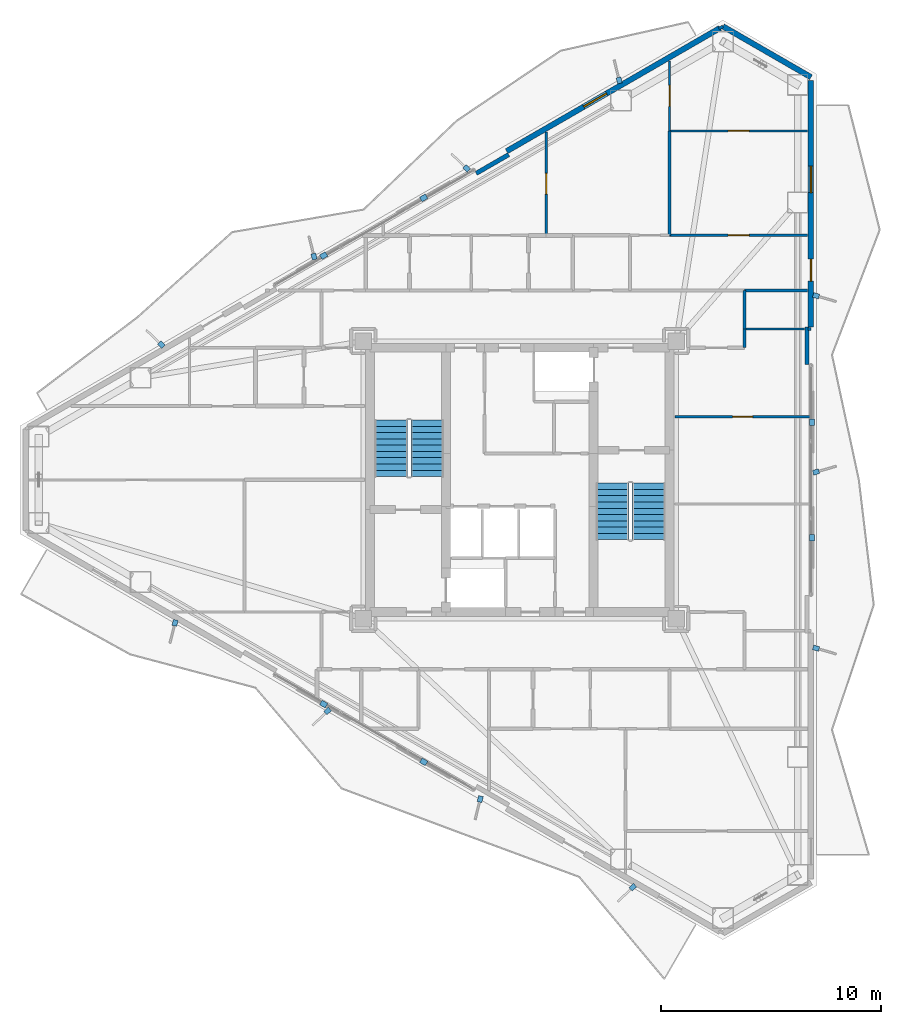
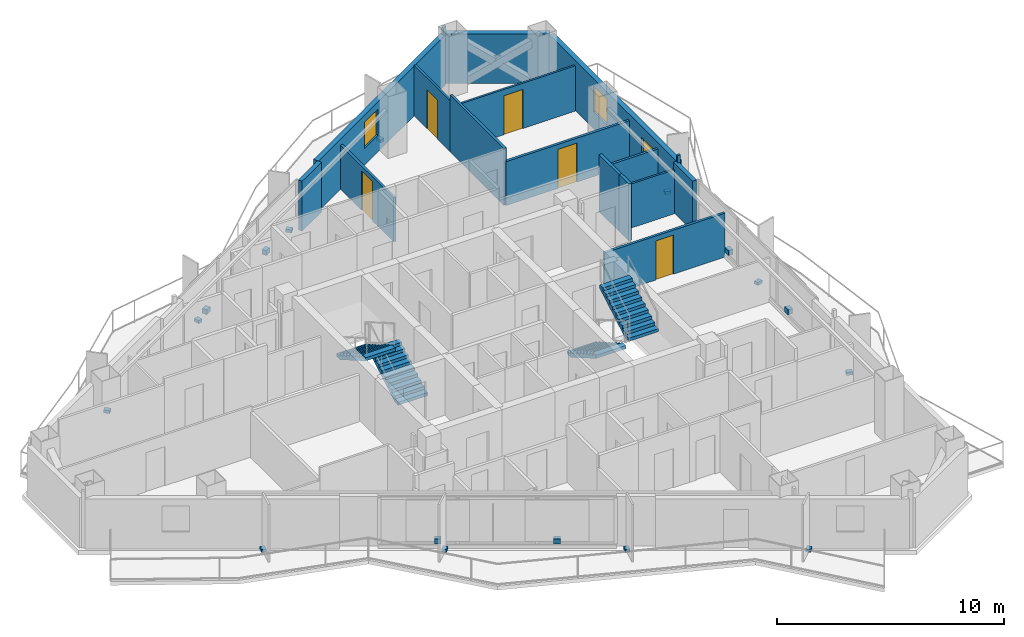
# One storey, part 16 of 18: 17 discrete accessories, 17 walls, 6 doors, 4 stair flights, 2 windows, 8 openings, 2 elements without a shape of their own.
"""IFC4 building model written with IfcOpenShell, lengths in metres."""

import ifcopenshell
import ifcopenshell.guid

model = None  # the IFC model being written
_history = None  # IfcOwnerHistory: only IFC2X3 demands one
_inside = {}  # id of a spatial element -> (the spatial element, [elements in it])
_under = {}  # id of a project, library or spatial element -> (it, [spatial elements below it])
_declared = {}  # id of a project -> (the project, [libraries it declares])
_typed = {}  # id of a type object -> (the type object, [elements of that type])
_made_of = {}  # id of a material, layer set ... -> (it, [elements and type objects made of it])


def new_model(schema):
    """Start an empty IFC model of exactly this schema.

    Asked for "IFC4X3", IfcOpenShell would pick the latest addendum, in which some entities
    have other attributes; the version numbers below select the first issue.
    IFC2X3 requires an IfcOwnerHistory on every rooted entity: one is made here for all.
    """
    global model, _history
    if schema == "IFC4X3":
        model = ifcopenshell.file(schema_version=(4, 3, 0, 0))
    else:
        model = ifcopenshell.file(schema=schema)
    _inside.clear()
    _under.clear()
    _declared.clear()
    _typed.clear()
    _made_of.clear()
    _history = None
    if model.schema == "IFC2X3":
        org = make("IfcOrganization", Name="unknown")
        user = make(
            "IfcPersonAndOrganization",
            ThePerson=make("IfcPerson", FamilyName="unknown"),
            TheOrganization=org,
        )
        app = make(
            "IfcApplication",
            ApplicationDeveloper=org,
            Version="unknown",
            ApplicationFullName="unknown",
            ApplicationIdentifier="unknown",
        )
        _history = make(
            "IfcOwnerHistory",
            OwningUser=user,
            OwningApplication=app,
            ChangeAction="ADDED",
            CreationDate=0,
        )
    return model


def make(cls, **values):
    """One entity of the class cls with the attributes given. An attribute that is None is left unset."""
    return model.create_entity(
        cls, **{name: value for name, value in values.items() if value is not None}
    )


def rooted(cls, **values):
    """An entity with a GlobalId (a new one), such as an element, a storey or a relation."""
    return make(cls, GlobalId=ifcopenshell.guid.new(), OwnerHistory=_history, **values)


def si_unit(unit_type, name, prefix=None):
    """IfcSIUnit, for example si_unit("LENGTHUNIT", "METRE", prefix="MILLI")."""
    return make("IfcSIUnit", UnitType=unit_type, Prefix=prefix, Name=name)


def assignment(units):
    """IfcUnitAssignment: the units of a project."""
    return None if units is None else make("IfcUnitAssignment", Units=units)


def point(xyz):
    """IfcCartesianPoint."""
    return None if xyz is None else make("IfcCartesianPoint", Coordinates=xyz)


def direction(xyz):
    """IfcDirection."""
    return None if xyz is None else make("IfcDirection", DirectionRatios=xyz)


def frame(location, z_axis=None, x_axis=None):
    """IfcAxis2Placement3D, a coordinate frame: its origin and axes. An axis left out is left unset."""
    return make(
        "IfcAxis2Placement3D",
        Location=point(location),
        Axis=direction(z_axis),
        RefDirection=direction(x_axis),
    )


def frame_2d(location, x_axis=None):
    """IfcAxis2Placement2D, a coordinate frame in the plane: its origin and x axis."""
    return make(
        "IfcAxis2Placement2D", Location=point(location), RefDirection=direction(x_axis)
    )


def origin():
    """The frame at (0, 0, 0) with its axes left unset."""
    return frame((0.0, 0.0, 0.0))


def origin_2d():
    """The frame at (0, 0) in the plane with its x axis left unset."""
    return frame_2d((0.0, 0.0))


def place(relative_to, where):
    """IfcLocalPlacement: puts the frame where relative to a parent placement (None: the world)."""
    return make(
        "IfcLocalPlacement", PlacementRelTo=relative_to, RelativePlacement=where
    )


def context(
    kind, dimensions, precision=None, world=None, true_north=None, identifier=None
):
    """IfcGeometricRepresentationContext, for example the 3D "Model" context."""
    return make(
        "IfcGeometricRepresentationContext",
        ContextIdentifier=identifier,
        ContextType=kind,
        CoordinateSpaceDimension=dimensions,
        Precision=precision,
        WorldCoordinateSystem=world,
        TrueNorth=true_north,
    )


def subcontext(parent, identifier, kind, view, scale=None):
    """IfcGeometricRepresentationSubContext, for example "Body" below "Model"."""
    return make(
        "IfcGeometricRepresentationSubContext",
        ContextIdentifier=identifier,
        ContextType=kind,
        ParentContext=parent,
        TargetScale=scale,
        TargetView=view,
    )


def project(units=None, contexts=None):
    """IfcProject with its units and contexts."""
    return rooted(
        "IfcProject",
        Name="project",
        RepresentationContexts=contexts,
        UnitsInContext=assignment(units),
    )


def spatial(cls, under=None, at=None, **own):
    """A site, building, storey or space (cls), placed at a placement, below another one or the project."""
    s = rooted(cls, ObjectPlacement=at, **own)
    if under is not None:
        _under.setdefault(under.id(), (under, []))[1].append(s)
    return s


def polyline(points):
    """IfcPolyline through the points."""
    return make("IfcPolyline", Points=[point(p) for p in points])


def profile(cls, at=None, kind="AREA", **sizes):
    """A parametric profile (cls). Its sizes go by their IFC names, for example OverallWidth=200.0."""
    return make(cls, ProfileType=kind, Position=at, **sizes)


def rectangle(**sizes):
    """IfcRectangleProfileDef."""
    return profile("IfcRectangleProfileDef", **sizes)


def outline(outer, holes=None, kind="AREA"):
    """IfcArbitraryClosedProfileDef: a profile drawn as a closed curve; with holes, ...WithVoids."""
    if holes is None:
        return make("IfcArbitraryClosedProfileDef", ProfileType=kind, OuterCurve=outer)
    return make(
        "IfcArbitraryProfileDefWithVoids",
        ProfileType=kind,
        OuterCurve=outer,
        InnerCurves=holes,
    )


def extrude(swept, where, along, depth):
    """IfcExtrudedAreaSolid: the profile swept, set in the frame where, extruded along a direction by depth."""
    return make(
        "IfcExtrudedAreaSolid",
        SweptArea=swept,
        Position=where,
        ExtrudedDirection=direction(along),
        Depth=depth,
    )


def shape(context_of_items, identifier, shape_type, items):
    """IfcShapeRepresentation: the items that make up one representation, for example the "Body"."""
    return make(
        "IfcShapeRepresentation",
        ContextOfItems=context_of_items,
        RepresentationIdentifier=identifier,
        RepresentationType=shape_type,
        Items=items,
    )


def material(Name=None, Category=None):
    """IfcMaterial."""
    return make("IfcMaterial", Name=Name, Category=Category)


def layer(
    of_material, thickness, ventilated=None, Name=None, Category=None, Priority=None
):
    """IfcMaterialLayer: one layer of a wall or slab, of a material (None: an air gap)."""
    return make(
        "IfcMaterialLayer",
        Material=of_material,
        LayerThickness=thickness,
        IsVentilated=ventilated,
        Name=Name,
        Category=Category,
        Priority=Priority,
    )


def layer_set(layers, Name=None):
    """IfcMaterialLayerSet."""
    return make("IfcMaterialLayerSet", MaterialLayers=layers, LayerSetName=Name)


def made_of(thing, what):
    """Note that an element or type object is made of a material, layer set ...; save() writes the relation."""
    if what is not None:
        _made_of.setdefault(what.id(), (what, []))[1].append(thing)
    return thing


def type_object(cls, material=None, **own):
    """A type object (cls), such as IfcWallType, which elements share."""
    return made_of(rooted(cls, **own), material)


def element(
    cls,
    number,
    at=None,
    inside=None,
    cuts=None,
    type_object=None,
    material=None,
    context=None,
    identifier="Body",
    shape_type=None,
    held_by="IfcProductDefinitionShape",
    body=None,
    shapes=None,
    **own,
):
    """One element of the class cls, such as IfcWall. Its Tag is "e" and its number.

    at: its placement. inside: the storey or other place that contains it. cuts: it is an
    opening in that element (IfcRelVoidsElement). A single representation is given by context,
    identifier, shape_type and body (its items); several are given by shapes. held_by: the class
    of the entity that holds the representations. save() writes the other relations.
    """
    e = rooted(cls, Tag="e%d" % number, ObjectPlacement=at, **own)
    if body is not None:
        shapes = [shape(context, identifier, shape_type, body)]
    if shapes is not None:
        e.Representation = make(held_by, Representations=shapes)
    if inside is not None:
        _inside.setdefault(inside.id(), (inside, []))[1].append(e)
    if cuts is not None:
        rooted(
            "IfcRelVoidsElement", RelatingBuildingElement=cuts, RelatedOpeningElement=e
        )
    if type_object is not None:
        _typed.setdefault(type_object.id(), (type_object, []))[1].append(e)
    return made_of(e, material)


def fill(opening, filler):
    """IfcRelFillsElement: the door or window that sits in an opening."""
    return rooted(
        "IfcRelFillsElement",
        RelatingOpeningElement=opening,
        RelatedBuildingElement=filler,
    )


def aggregate(whole, parts):
    """IfcRelAggregates: a whole, such as a stair, and the parts it consists of."""
    return rooted("IfcRelAggregates", RelatingObject=whole, RelatedObjects=parts)


def save(model, path):
    """Write the relations noted so far, then the file.

    IfcRelAggregates (storeys below a building ...), IfcRelContainedInSpatialStructure (elements
    in a storey), IfcRelDefinesByType, IfcRelAssociatesMaterial and IfcRelDeclares: one each for
    every whole, place, type object, material and project.
    """
    for whole, parts in _under.values():
        aggregate(whole, parts)
    for where, things in _inside.values():
        rooted(
            "IfcRelContainedInSpatialStructure",
            RelatedElements=things,
            RelatingStructure=where,
        )
    for kind, things in _typed.values():
        rooted("IfcRelDefinesByType", RelatedObjects=things, RelatingType=kind)
    for what, things in _made_of.values():
        rooted("IfcRelAssociatesMaterial", RelatedObjects=things, RelatingMaterial=what)
    for by, libraries in _declared.values():
        rooted("IfcRelDeclares", RelatingContext=by, RelatedDefinitions=libraries)
    model.write(path)


model = new_model("IFC4")

# Units and contexts
model_context = context("Model", 3, precision=1e-05, world=origin(), true_north=direction((0.0, 1.0)))
body_context = subcontext(model_context, "Body", "Model", "MODEL_VIEW")
ifc_project = project(units=[si_unit("LENGTHUNIT", "METRE"), si_unit("AREAUNIT", "SQUARE_METRE"), si_unit("VOLUMEUNIT", "CUBIC_METRE"), si_unit("PLANEANGLEUNIT", "RADIAN"), si_unit("MASSUNIT", "GRAM", prefix="KILO")], contexts=[model_context])

# Site, building, storey
site_placement = place(None, origin())
site = spatial("IfcSite", under=ifc_project, at=site_placement, CompositionType="ELEMENT")
building_placement = place(site_placement, origin())
building = spatial("IfcBuilding", under=site, at=building_placement, Name="Mersakhor Tower and Convention Hall", CompositionType="ELEMENT")
storey_placement = place(building_placement, frame((0.0, 0.0, 134.39990234375)))
storey = spatial("IfcBuildingStorey", under=building, at=storey_placement, Name="L37", CompositionType="ELEMENT", Elevation=134.39990234375)

# Wall
ifc_material_1 = material(Name="Precast concrete C40/50", Category="concrete")
ifc_layer_1 = layer(ifc_material_1, 0.25)
ifc_layer_set_1 = layer_set([ifc_layer_1], Name="Precast concrete C40/50")
wall_type_1 = type_object("IfcWallType", Name="WL-EXT-250", PredefinedType="SOLIDWALL", material=ifc_layer_set_1)
wall_1_placement = place(storey_placement, frame((38.220458984375, 47.337646484375, 0.0), z_axis=(0.0, 0.0, 1.0), x_axis=(0.866035021055, -0.499983342029, 0.0)))
element("IfcWall", 1, at=wall_1_placement, inside=storey, type_object=wall_type_1, Name="L37 Chamfer Braced Spandrel Wall C1", PredefinedType="SOLIDWALL", context=body_context, shape_type="SweptSolid", body=[
    extrude(rectangle(XDim=4.617431640625, YDim=0.25, at=frame_2d((2.30859375, 0.0))), origin(), (0.0, 0.0, 1.0), 2.68017578125),
])

# Wall, opening, window
wall_2_placement = place(storey_placement, frame((28.4033203125, 41.669677734375, 0.0), z_axis=(0.0, 0.0, 1.0), x_axis=(0.86602239209, 0.500005216371, 0.0)))
wall_2 = element("IfcWall", 2, at=wall_2_placement, inside=storey, type_object=wall_type_1, Name="L37 Exterior Facade Wall F1-B3", PredefinedType="SOLIDWALL", context=body_context, shape_type="SweptSolid", body=[
    extrude(rectangle(XDim=11.18603515625, YDim=0.25, at=frame_2d((5.593017578125, 0.0))), origin(), (0.0, 0.0, 1.0), 2.68017578125),
])
opening_1_placement = place(wall_2_placement, frame((4.0390625, 0.0, 0.89990234375)))
opening_1 = element("IfcOpeningElement", 3, at=opening_1_placement, cuts=wall_2, Name="Opening W-01", PredefinedType="OPENING", context=body_context, shape_type="SweptSolid", body=[
    extrude(rectangle(XDim=1.199951171875, YDim=1.39990234375, at=frame_2d((0.60009765625, 0.699951171875))), frame((0.0, 0.135009765625, 0.0), z_axis=(0.0, -1.0, 0.0), x_axis=(1.0, 0.0, 0.0)), (0.0, 0.0, 1.0), 0.27001953125),
])
ifc_material_2 = material(Name="Dark solar low-E glazed aluminium window", Category="aluminium")
window_type = type_object("IfcWindowType", Name="WN-RES-120x150", PartitioningType="SINGLE_PANEL", PredefinedType="WINDOW", material=ifc_material_2)
window_1_placement = place(opening_1_placement, origin())
window_1 = element("IfcWindow", 4, at=window_1_placement, inside=storey, type_object=window_type, Name="L37 Bedroom Facade Window F1-B3-1", OverallHeight=1.39990234375, OverallWidth=1.199951171875, PartitioningType="SINGLE_PANEL", PredefinedType="WINDOW", context=body_context, shape_type="SweptSolid", body=[
    extrude(rectangle(XDim=1.199951171875, YDim=1.39990234375, at=frame_2d((0.60009765625, 0.699951171875))), frame((0.0, 0.030029296875, 0.0), z_axis=(0.0, -1.0, 0.0), x_axis=(1.0, 0.0, 0.0)), (0.0, 0.0, 1.0), 0.06005859375),
])
fill(opening_1, window_1)

# Wall, openings, door, window
wall_3_placement = place(storey_placement, frame((42.21923828125, 44.87890625, 0.0), z_axis=(0.0, 0.0, 1.0), x_axis=(0.0, -1.0, 0.0)))
wall_3 = element("IfcWall", 5, at=wall_3_placement, inside=storey, type_object=wall_type_1, Name="L37 Exterior Facade Wall F2-B1", PredefinedType="SOLIDWALL", context=body_context, shape_type="SweptSolid", body=[
    extrude(rectangle(XDim=11.185791015625, YDim=0.25, at=frame_2d((5.5927734375, 0.0))), origin(), (0.0, 0.0, 1.0), 2.68017578125),
])
opening_2_placement = place(wall_3_placement, frame((8.10888671875, 0.0, 0.0)))
opening_2 = element("IfcOpeningElement", 6, at=opening_2_placement, cuts=wall_3, Name="Opening BD-01", PredefinedType="OPENING", context=body_context, shape_type="SweptSolid", body=[
    extrude(rectangle(XDim=1.0, YDim=2.10009765625, at=frame_2d((0.5, 1.050048828125))), frame((0.0, 0.135009765625, 0.0), z_axis=(0.0, -1.0, 0.0), x_axis=(1.0, 0.0, 0.0)), (0.0, 0.0, 1.0), 0.27001953125),
])
opening_3_placement = place(wall_3_placement, frame((3.885986328125, 0.0, 0.89990234375)))
opening_3 = element("IfcOpeningElement", 7, at=opening_3_placement, cuts=wall_3, Name="Opening W-01", PredefinedType="OPENING", context=body_context, shape_type="SweptSolid", body=[
    extrude(rectangle(XDim=1.199951171875, YDim=1.39990234375, at=frame_2d((0.60009765625, 0.699951171875))), frame((0.0, 0.135009765625, 0.0), z_axis=(0.0, -1.0, 0.0), x_axis=(1.0, 0.0, 0.0)), (0.0, 0.0, 1.0), 0.27001953125),
])
ifc_material_3 = material(Name="Thermally broken dark aluminium and safety glass", Category="aluminium")
door_type_1 = type_object("IfcDoorType", Name="DR-BAL-100x210", OperationType="NOTDEFINED", PredefinedType="DOOR", material=ifc_material_3)
door_1_placement = place(opening_2_placement, origin())
door_1 = element("IfcDoor", 8, at=door_1_placement, inside=storey, type_object=door_type_1, Name="L37 Balcony Terrace Door F2-B1", OperationType="SINGLE_SWING_LEFT", OverallHeight=2.10009765625, OverallWidth=1.0, PredefinedType="DOOR", context=body_context, shape_type="SweptSolid", body=[
    extrude(rectangle(XDim=1.0, YDim=2.10009765625, at=frame_2d((0.5, 1.050048828125))), frame((0.0, 0.02490234375, 0.0), z_axis=(0.0, -1.0, 0.0), x_axis=(1.0, 0.0, 0.0)), (0.0, 0.0, 1.0), 0.050048828125),
])
fill(opening_2, door_1)
window_2_placement = place(opening_3_placement, origin())
window_2 = element("IfcWindow", 9, at=window_2_placement, inside=storey, type_object=window_type, Name="L37 Bedroom Facade Window F2-B1-1", OverallHeight=1.39990234375, OverallWidth=1.199951171875, PartitioningType="SINGLE_PANEL", PredefinedType="WINDOW", context=body_context, shape_type="SweptSolid", body=[
    extrude(rectangle(XDim=1.199951171875, YDim=1.39990234375, at=frame_2d((0.60009765625, 0.699951171875))), frame((0.0, 0.030029296875, 0.0), z_axis=(0.0, -1.0, 0.0), x_axis=(1.0, 0.0, 0.0)), (0.0, 0.0, 1.0), 0.06005859375),
])
fill(opening_3, window_2)

# Walls
ifc_material_4 = material(Name="Precast concrete C40/50", Category="concrete")
ifc_layer_2 = layer(ifc_material_4, 0.199951171875)
ifc_layer_set_2 = layer_set([ifc_layer_2], Name="Precast concrete C40/50")
wall_type_2 = type_object("IfcWallType", Name="WL-PAR-200", PredefinedType="PARAPET", material=ifc_layer_set_2)
wall_4_placement = place(storey_placement, frame((27.02099609375, 40.663818359375, 0.0), z_axis=(0.0, 0.0, 1.0), x_axis=(0.86605165483, 0.499954529098, 0.0)))
element("IfcWall", 10, at=wall_4_placement, inside=storey, type_object=wall_type_2, Name="L37 Column Pier Cladding Wall F1-C2", PredefinedType="PARAPET", context=body_context, shape_type="SweptSolid", body=[
    extrude(rectangle(XDim=1.699951171875, YDim=0.199951171875, at=frame_2d((0.85009765625, 0.0))), origin(), (0.0, 0.0, 1.0), 2.68017578125),
])
wall_5_placement = place(storey_placement, frame((42.039306640625, 33.693115234375, 0.0), z_axis=(0.0, 0.0, 1.0), x_axis=(0.0, -1.0, 0.0)))
element("IfcWall", 11, at=wall_5_placement, inside=storey, type_object=wall_type_2, Name="L37 Column Pier Cladding Wall F2-C1", PredefinedType="PARAPET", context=body_context, shape_type="SweptSolid", body=[
    extrude(rectangle(XDim=1.7001953125, YDim=0.199951171875, at=frame_2d((0.85009765625, 0.0))), origin(), (0.0, 0.0, 1.0), 2.68017578125),
])
ifc_material_5 = material(Name="Lightweight gypsum partition", Category="other")
ifc_layer_3 = layer(ifc_material_5, 0.10009765625)
ifc_layer_set_3 = layer_set([ifc_layer_3], Name="Lightweight gypsum partition")
wall_type_3 = type_object("IfcWallType", Name="WL-PRT-100", PredefinedType="PARTITIONING", material=ifc_layer_set_3)
wall_6_placement = place(storey_placement, frame((39.199951171875, 33.60009765625, 0.0), z_axis=(0.0, 0.0, 1.0), x_axis=(1.0, 0.0, 0.0)))
element("IfcWall", 12, at=wall_6_placement, inside=storey, type_object=wall_type_3, Name="L37 Interior Partition Wall P-100", PredefinedType="PARTITIONING", context=body_context, shape_type="SweptSolid", body=[
    extrude(rectangle(XDim=2.71533203125, YDim=0.10009765625, at=frame_2d((1.357666015625, 0.0))), origin(), (0.0, 0.0, 1.0), 2.364990234375),
])

# Wall, opening, door
wall_7_placement = place(storey_placement, frame((35.800048828125, 45.76806640625, 0.0), z_axis=(0.0, 0.0, 1.0), x_axis=(0.0, -1.0, 0.0)))
wall_7 = element("IfcWall", 13, at=wall_7_placement, inside=storey, type_object=wall_type_3, Name="L37 Interior Partition Wall P-112", PredefinedType="PARTITIONING", context=body_context, shape_type="SweptSolid", body=[
    extrude(rectangle(XDim=3.177978515625, YDim=0.10009765625, at=frame_2d((1.5888671875, 0.0))), origin(), (0.0, 0.0, 1.0), 2.724609375),
])
opening_4_placement = place(wall_7_placement, frame((1.114013671875, 0.0, 0.0)))
opening_4 = element("IfcOpeningElement", 14, at=opening_4_placement, cuts=wall_7, Name="Opening RD-01", PredefinedType="OPENING", context=body_context, shape_type="SweptSolid", body=[
    extrude(rectangle(XDim=0.949951171875, YDim=2.10009765625, at=frame_2d((0.47509765625, 1.050048828125))), frame((0.0, 0.06005859375, 0.0), z_axis=(0.0, -1.0, 0.0), x_axis=(1.0, 0.0, 0.0)), (0.0, 0.0, 1.0), 0.1201171875),
])
ifc_material_6 = material(Name="Solid-core hardwood leaf in painted steel frame", Category="steel")
door_type_2 = type_object("IfcDoorType", Name="DR-INT-RM-095x210", OperationType="NOTDEFINED", PredefinedType="DOOR", material=ifc_material_6)
door_2_placement = place(opening_4_placement, origin())
door_2 = element("IfcDoor", 15, at=door_2_placement, inside=storey, type_object=door_type_2, Name="L37 L37 Flat N1 Master Bedroom to L37 Flat N1 Study Room Door", OperationType="SINGLE_SWING_RIGHT", OverallHeight=2.10009765625, OverallWidth=0.949951171875, PredefinedType="DOOR", context=body_context, shape_type="SweptSolid", body=[
    extrude(rectangle(XDim=0.949951171875, YDim=2.10009765625, at=frame_2d((0.47509765625, 1.050048828125))), frame((0.0, 0.02490234375, 0.0), z_axis=(0.0, -1.0, 0.0), x_axis=(1.0, 0.0, 0.0)), (0.0, 0.0, 1.0), 0.050048828125),
])
fill(opening_4, door_2)

wall_8_placement = place(storey_placement, frame((35.800048828125, 42.590087890625, 0.0), z_axis=(0.0, 0.0, 1.0), x_axis=(1.0, 0.0, 0.0)))
wall_8 = element("IfcWall", 16, at=wall_8_placement, inside=storey, type_object=wall_type_3, Name="L37 Interior Partition Wall P-114", PredefinedType="PARTITIONING", context=body_context, shape_type="SweptSolid", body=[
    extrude(rectangle(XDim=6.270263671875, YDim=0.10009765625, at=frame_2d((3.13525390625, 0.0))), origin(), (0.0, 0.0, 1.0), 2.432861328125),
])
opening_5_placement = place(wall_8_placement, frame((2.66015625, 0.0, 0.0)))
opening_5 = element("IfcOpeningElement", 17, at=opening_5_placement, cuts=wall_8, Name="Opening RD-01", PredefinedType="OPENING", context=body_context, shape_type="SweptSolid", body=[
    extrude(rectangle(XDim=0.949951171875, YDim=2.10009765625, at=frame_2d((0.47509765625, 1.050048828125))), frame((0.0, 0.06005859375, 0.0), z_axis=(0.0, -1.0, 0.0), x_axis=(1.0, 0.0, 0.0)), (0.0, 0.0, 1.0), 0.1201171875),
])
door_3_placement = place(opening_5_placement, origin())
door_3 = element("IfcDoor", 18, at=door_3_placement, inside=storey, type_object=door_type_2, Name="L37 L37 Flat N1 Bedroom 2 to L37 Flat N1 Study Room Door", OperationType="SINGLE_SWING_LEFT", OverallHeight=2.10009765625, OverallWidth=0.949951171875, PredefinedType="DOOR", context=body_context, shape_type="SweptSolid", body=[
    extrude(rectangle(XDim=0.949951171875, YDim=2.10009765625, at=frame_2d((0.47509765625, 1.050048828125))), frame((0.0, 0.02490234375, 0.0), z_axis=(0.0, -1.0, 0.0), x_axis=(1.0, 0.0, 0.0)), (0.0, 0.0, 1.0), 0.050048828125),
])
fill(opening_5, door_3)

ifc_material_7 = material(Name="Gypsum board acoustic partition", Category="other")
ifc_layer_4 = layer(ifc_material_7, 0.125)
ifc_layer_set_4 = layer_set([ifc_layer_4], Name="Gypsum board acoustic partition")
wall_type_4 = type_object("IfcWallType", Name="WL-PRT-125", PredefinedType="PARTITIONING", material=ifc_layer_set_4)
wall_9_placement = place(storey_placement, frame((36.050048828125, 29.6201171875, 0.0), z_axis=(0.0, 0.0, 1.0), x_axis=(1.0, 0.0, 0.0)))
wall_9 = element("IfcWall", 19, at=wall_9_placement, inside=storey, type_object=wall_type_4, Name="L37 Interior Partition Wall P-097", PredefinedType="PARTITIONING", context=body_context, shape_type="SweptSolid", body=[
    extrude(rectangle(XDim=6.131103515625, YDim=0.125, at=frame_2d((3.0654296875, 0.0))), origin(), (0.0, 0.0, 1.0), 2.364990234375),
])
opening_6_placement = place(wall_9_placement, frame((2.615478515625, 0.0, 0.0)))
opening_6 = element("IfcOpeningElement", 20, at=opening_6_placement, cuts=wall_9, Name="Opening WD-01", PredefinedType="OPENING", context=body_context, shape_type="SweptSolid", body=[
    extrude(rectangle(XDim=0.89990234375, YDim=2.10009765625, at=frame_2d((0.449951171875, 1.050048828125))), frame((0.0, 0.072509765625, 0.0), z_axis=(0.0, -1.0, 0.0), x_axis=(1.0, 0.0, 0.0)), (0.0, 0.0, 1.0), 0.14501953125),
])
ifc_material_8 = material(Name="Solid-core hardwood leaf in painted steel frame", Category="steel")
door_type_3 = type_object("IfcDoorType", Name="DR-INT-WET-090x210", OperationType="NOTDEFINED", PredefinedType="DOOR", material=ifc_material_8)
door_4_placement = place(opening_6_placement, origin())
door_4 = element("IfcDoor", 21, at=door_4_placement, inside=storey, type_object=door_type_3, Name="L37 L37 East Wing Sky Study Room to L37 East Wing Sky Study Room Annex Door", OperationType="SINGLE_SWING_LEFT", OverallHeight=2.10009765625, OverallWidth=0.89990234375, PredefinedType="DOOR", context=body_context, shape_type="SweptSolid", body=[
    extrude(rectangle(XDim=0.89990234375, YDim=2.10009765625, at=frame_2d((0.449951171875, 1.050048828125))), frame((0.0, 0.02490234375, 0.0), z_axis=(0.0, -1.0, 0.0), x_axis=(1.0, 0.0, 0.0)), (0.0, 0.0, 1.0), 0.050048828125),
])
fill(opening_6, door_4)

# Walls
wall_10_placement = place(storey_placement, frame((42.07421875, 33.60009765625, 0.0), z_axis=(0.0, 0.0, 1.0), x_axis=(1.0, 0.0, 0.0)))
element("IfcWall", 22, at=wall_10_placement, inside=storey, type_object=wall_type_4, Name="L37 Interior Partition Wall P-101", PredefinedType="PARTITIONING", context=body_context, shape_type="SweptSolid", body=[
    extrude(rectangle(XDim=0.144775390625, YDim=0.125, at=frame_2d((0.072265625, 0.0))), origin(), (0.0, 0.0, 1.0), 3.06005859375),
])
wall_11_placement = place(storey_placement, frame((42.0703125, 35.35009765625, 0.0), z_axis=(0.0, 0.0, 1.0), x_axis=(-1.0, 0.0, 0.0)))
element("IfcWall", 23, at=wall_11_placement, inside=storey, type_object=wall_type_4, Name="L37 Interior Partition Wall P-107", PredefinedType="PARTITIONING", context=body_context, shape_type="SweptSolid", body=[
    extrude(rectangle(XDim=2.870361328125, YDim=0.125, at=frame_2d((1.43505859375, 0.0))), origin(), (0.0, 0.0, 1.0), 2.364990234375),
])

# Wall, opening, door
wall_12_placement = place(storey_placement, frame((35.800048828125, 37.85009765625, 0.0), z_axis=(0.0, 0.0, 1.0), x_axis=(1.0, 0.0, 0.0)))
wall_12 = element("IfcWall", 24, at=wall_12_placement, inside=storey, type_object=wall_type_4, Name="L37 Interior Partition Wall P-109", PredefinedType="PARTITIONING", context=body_context, shape_type="SweptSolid", body=[
    extrude(rectangle(XDim=6.270263671875, YDim=0.125, at=frame_2d((3.13525390625, 0.0))), origin(), (0.0, 0.0, 1.0), 2.364990234375),
])
opening_7_placement = place(wall_12_placement, frame((2.66015625, 0.0, 0.0)))
opening_7 = element("IfcOpeningElement", 25, at=opening_7_placement, cuts=wall_12, Name="Opening RD-01", PredefinedType="OPENING", context=body_context, shape_type="SweptSolid", body=[
    extrude(rectangle(XDim=0.949951171875, YDim=2.10009765625, at=frame_2d((0.47509765625, 1.050048828125))), frame((0.0, 0.072509765625, 0.0), z_axis=(0.0, -1.0, 0.0), x_axis=(1.0, 0.0, 0.0)), (0.0, 0.0, 1.0), 0.14501953125),
])
door_5_placement = place(opening_7_placement, origin())
door_5 = element("IfcDoor", 26, at=door_5_placement, inside=storey, type_object=door_type_2, Name="L37 L37 Flat N1 Study Room to L37 Flat N1 Bedroom 2 Door", OperationType="SINGLE_SWING_RIGHT", OverallHeight=2.10009765625, OverallWidth=0.949951171875, PredefinedType="DOOR", context=body_context, shape_type="SweptSolid", body=[
    extrude(rectangle(XDim=0.949951171875, YDim=2.10009765625, at=frame_2d((0.47509765625, 1.050048828125))), frame((0.0, 0.02490234375, 0.0), z_axis=(0.0, -1.0, 0.0), x_axis=(1.0, 0.0, 0.0)), (0.0, 0.0, 1.0), 0.050048828125),
])
fill(opening_7, door_5)

wall_13_placement = place(storey_placement, frame((30.199951171875, 42.534912109375, 0.0), z_axis=(0.0, 0.0, 1.0), x_axis=(0.0, -1.0, 0.0)))
wall_13 = element("IfcWall", 27, at=wall_13_placement, inside=storey, type_object=wall_type_4, Name="L37 Interior Partition Wall P-111", PredefinedType="PARTITIONING", context=body_context, shape_type="SweptSolid", body=[
    extrude(rectangle(XDim=4.684814453125, YDim=0.125, at=frame_2d((2.34228515625, 0.0))), origin(), (0.0, 0.0, 1.0), 2.364990234375),
])
opening_8_placement = place(wall_13_placement, frame((1.867431640625, 0.0, 0.0)))
opening_8 = element("IfcOpeningElement", 28, at=opening_8_placement, cuts=wall_13, Name="Opening RD-01", PredefinedType="OPENING", context=body_context, shape_type="SweptSolid", body=[
    extrude(rectangle(XDim=0.949951171875, YDim=2.10009765625, at=frame_2d((0.47509765625, 1.050048828125))), frame((0.0, 0.072509765625, 0.0), z_axis=(0.0, -1.0, 0.0), x_axis=(1.0, 0.0, 0.0)), (0.0, 0.0, 1.0), 0.14501953125),
])
door_6_placement = place(opening_8_placement, origin())
door_6 = element("IfcDoor", 29, at=door_6_placement, inside=storey, type_object=door_type_2, Name="L37 L37 Flat N1 Living and Dining Room to L37 Flat N1 Master Bedroom Door", OperationType="SINGLE_SWING_LEFT", OverallHeight=2.10009765625, OverallWidth=0.949951171875, PredefinedType="DOOR", context=body_context, shape_type="SweptSolid", body=[
    extrude(rectangle(XDim=0.949951171875, YDim=2.10009765625, at=frame_2d((0.47509765625, 1.050048828125))), frame((0.0, 0.02490234375, 0.0), z_axis=(0.0, -1.0, 0.0), x_axis=(1.0, 0.0, 0.0)), (0.0, 0.0, 1.0), 0.050048828125),
])
fill(opening_8, door_6)

# Walls
wall_14_placement = place(storey_placement, frame((35.800048828125, 42.590087890625, 0.0), z_axis=(0.0, 0.0, 1.0), x_axis=(0.0, -1.0, 0.0)))
element("IfcWall", 30, at=wall_14_placement, inside=storey, type_object=wall_type_4, Name="L37 Interior Partition Wall P-113", PredefinedType="PARTITIONING", context=body_context, shape_type="SweptSolid", body=[
    extrude(rectangle(XDim=4.739990234375, YDim=0.125, at=frame_2d((2.3701171875, 0.0))), origin(), (0.0, 0.0, 1.0), 3.06005859375),
])
wall_15_placement = place(storey_placement, frame((38.0341796875, 47.22998046875, 0.0), z_axis=(0.0, 0.0, 1.0), x_axis=(0.865581379588, 0.500768285049, 0.0)))
element("IfcWall", 31, at=wall_15_placement, inside=storey, type_object=wall_type_4, Name="L37 Interior Partition Wall P-115", PredefinedType="PARTITIONING", context=body_context, shape_type="SweptSolid", body=[
    extrude(rectangle(XDim=0.215576171875, YDim=0.125, at=frame_2d((0.10791015625, 0.0))), origin(), (0.0, 0.0, 1.0), 3.06005859375),
])
ifc_material_9 = material(Name="Fire-rated gypsum board stud partition", Category="other")
ifc_layer_5 = layer(ifc_material_9, 0.14990234375)
ifc_layer_set_5 = layer_set([ifc_layer_5], Name="Fire-rated gypsum board stud partition")
wall_type_5 = type_object("IfcWallType", Name="WL-PRT-150", PredefinedType="PARTITIONING", material=ifc_layer_set_5)
wall_16_placement = place(storey_placement, frame((39.199951171875, 35.35009765625, 0.0), z_axis=(0.0, 0.0, 1.0), x_axis=(0.0, -1.0, 0.0)))
element("IfcWall", 32, at=wall_16_placement, inside=storey, type_object=wall_type_5, Name="L37 Interior Partition Wall P-029", PredefinedType="PARTITIONING", context=body_context, shape_type="SweptSolid", body=[
    extrude(rectangle(XDim=1.75, YDim=0.14990234375, at=frame_2d((0.875, 0.0))), origin(), (0.0, 0.0, 1.0), 3.06005859375),
])
wall_17_placement = place(storey_placement, frame((39.199951171875, 33.60009765625, 0.0), z_axis=(0.0, 0.0, 1.0), x_axis=(0.0, -1.0, 0.0)))
element("IfcWall", 33, at=wall_17_placement, inside=storey, type_object=wall_type_5, Name="L37 Interior Partition Wall P-030", PredefinedType="PARTITIONING", context=body_context, shape_type="SweptSolid", body=[
    extrude(rectangle(XDim=0.85009765625, YDim=0.14990234375, at=frame_2d((0.425048828125, 0.0))), origin(), (0.0, 0.0, 1.0), 3.06005859375),
])

# Stair, stair flights
ifc_material_10 = material(Name="Concrete C45/55", Category="concrete")
stair_type = type_object("IfcStairType", Name="ST-TWR-20R", PredefinedType="HALF_TURN_STAIR", material=ifc_material_10)
stair_1_placement = place(storey_placement, origin())
stair_1 = element("IfcStair", 34, at=stair_1_placement, inside=storey, type_object=stair_type, Name="L37 Tower Protected Exit Stair ST-1", PredefinedType="HALF_TURN_STAIR")
ifc_material_11 = material(Name="Concrete C45/55", Category="concrete")
stair_flight_type = type_object("IfcStairFlightType", Name="SFL-TWR-20R", PredefinedType="STRAIGHT", material=ifc_material_11)
stair_flight_1_placement = place(storey_placement, frame((24.800048828125, 26.89990234375, 0.0), z_axis=(0.0, 0.0, 1.0), x_axis=(0.0, 1.0, 0.0)))
stair_flight_1 = element("IfcStairFlight", 35, at=stair_flight_1_placement, type_object=stair_flight_type, Name="ST-1 flight 1", NumberOfRisers=10, NumberOfTreads=9, PredefinedType="STRAIGHT", RiserHeight=0.165, TreadLength=0.285, context=body_context, shape_type="SweptSolid", body=[
    extrude(outline(polyline([(0.0, 0.0), (0.0, 0.1650390625), (0.284912109375, 0.1650390625), (0.284912109375, 0.330078125), (0.570068359375, 0.330078125), (0.570068359375, 0.4951171875), (0.85498046875, 0.4951171875), (0.85498046875, 0.659912109375), (1.139892578125, 0.659912109375), (1.139892578125, 0.824951171875), (1.425048828125, 0.824951171875), (1.425048828125, 0.989990234375), (1.7099609375, 0.989990234375), (1.7099609375, 1.155029296875), (1.9951171875, 1.155029296875), (1.9951171875, 1.320068359375), (2.280029296875, 1.320068359375), (2.280029296875, 1.485107421875), (2.56494140625, 1.485107421875), (2.56494140625, 1.64990234375), (2.56494140625, 1.311767578125), (0.299072265625, 0.0), (0.0, 0.0)])), frame((0.0, 0.75, 0.0), z_axis=(0.0, -1.0, 0.0), x_axis=(1.0, 0.0, 0.0)), (0.0, 0.0, 1.0), 1.5),
])
stair_flight_2_placement = place(storey_placement, frame((23.14990234375, 29.465087890625, 1.650146484375), z_axis=(0.0, 0.0, 1.0), x_axis=(0.0, -1.0, 0.0)))
stair_flight_2 = element("IfcStairFlight", 36, at=stair_flight_2_placement, type_object=stair_flight_type, Name="ST-1 flight 2", NumberOfRisers=10, NumberOfTreads=9, PredefinedType="STRAIGHT", RiserHeight=0.165, TreadLength=0.285, context=body_context, shape_type="SweptSolid", body=[
    extrude(outline(polyline([(0.0, 0.0), (0.0, 0.1650390625), (0.284912109375, 0.1650390625), (0.284912109375, 0.330078125), (0.570068359375, 0.330078125), (0.570068359375, 0.4951171875), (0.85498046875, 0.4951171875), (0.85498046875, 0.659912109375), (1.139892578125, 0.659912109375), (1.139892578125, 0.824951171875), (1.425048828125, 0.824951171875), (1.425048828125, 0.989990234375), (1.7099609375, 0.989990234375), (1.7099609375, 1.155029296875), (1.9951171875, 1.155029296875), (1.9951171875, 1.320068359375), (2.280029296875, 1.320068359375), (2.280029296875, 1.485107421875), (2.56494140625, 1.485107421875), (2.56494140625, 1.64990234375), (2.56494140625, 1.311767578125), (0.299072265625, 0.0), (0.0, 0.0)])), frame((0.0, 0.75, 0.0), z_axis=(0.0, -1.0, 0.0), x_axis=(1.0, 0.0, 0.0)), (0.0, 0.0, 1.0), 1.5),
])
aggregate(stair_1, [stair_flight_1, stair_flight_2])

stair_2_placement = place(storey_placement, origin())
stair_2 = element("IfcStair", 37, at=stair_2_placement, inside=storey, type_object=stair_type, Name="L37 Tower Protected Exit Stair ST-2", PredefinedType="HALF_TURN_STAIR")
stair_flight_3_placement = place(storey_placement, frame((33.199951171875, 26.60009765625, 0.0), z_axis=(0.0, 0.0, 1.0), x_axis=(0.0, -1.0, 0.0)))
stair_flight_3 = element("IfcStairFlight", 38, at=stair_flight_3_placement, type_object=stair_flight_type, Name="ST-2 flight 1", NumberOfRisers=10, NumberOfTreads=9, PredefinedType="STRAIGHT", RiserHeight=0.165, TreadLength=0.285, context=body_context, shape_type="SweptSolid", body=[
    extrude(outline(polyline([(0.0, 0.0), (0.0, 0.1650390625), (0.284912109375, 0.1650390625), (0.284912109375, 0.330078125), (0.570068359375, 0.330078125), (0.570068359375, 0.4951171875), (0.85498046875, 0.4951171875), (0.85498046875, 0.659912109375), (1.139892578125, 0.659912109375), (1.139892578125, 0.824951171875), (1.425048828125, 0.824951171875), (1.425048828125, 0.989990234375), (1.7099609375, 0.989990234375), (1.7099609375, 1.155029296875), (1.9951171875, 1.155029296875), (1.9951171875, 1.320068359375), (2.280029296875, 1.320068359375), (2.280029296875, 1.485107421875), (2.56494140625, 1.485107421875), (2.56494140625, 1.64990234375), (2.56494140625, 1.311767578125), (0.299072265625, 0.0), (0.0, 0.0)])), frame((0.0, 0.75, 0.0), z_axis=(0.0, -1.0, 0.0), x_axis=(1.0, 0.0, 0.0)), (0.0, 0.0, 1.0), 1.5),
])
stair_flight_4_placement = place(storey_placement, frame((34.85009765625, 24.034912109375, 1.650146484375), z_axis=(0.0, 0.0, 1.0), x_axis=(0.0, 1.0, 0.0)))
stair_flight_4 = element("IfcStairFlight", 39, at=stair_flight_4_placement, type_object=stair_flight_type, Name="ST-2 flight 2", NumberOfRisers=10, NumberOfTreads=9, PredefinedType="STRAIGHT", RiserHeight=0.165, TreadLength=0.285, context=body_context, shape_type="SweptSolid", body=[
    extrude(outline(polyline([(0.0, 0.0), (0.0, 0.1650390625), (0.284912109375, 0.1650390625), (0.284912109375, 0.330078125), (0.570068359375, 0.330078125), (0.570068359375, 0.4951171875), (0.85498046875, 0.4951171875), (0.85498046875, 0.659912109375), (1.139892578125, 0.659912109375), (1.139892578125, 0.824951171875), (1.425048828125, 0.824951171875), (1.425048828125, 0.989990234375), (1.7099609375, 0.989990234375), (1.7099609375, 1.155029296875), (1.9951171875, 1.155029296875), (1.9951171875, 1.320068359375), (2.280029296875, 1.320068359375), (2.280029296875, 1.485107421875), (2.56494140625, 1.485107421875), (2.56494140625, 1.64990234375), (2.56494140625, 1.311767578125), (0.299072265625, 0.0), (0.0, 0.0)])), frame((0.0, 0.75, 0.0), z_axis=(0.0, -1.0, 0.0), x_axis=(1.0, 0.0, 0.0)), (0.0, 0.0, 1.0), 1.5),
])
aggregate(stair_2, [stair_flight_3, stair_flight_4])

# Discrete accessories
ifc_material_12 = material(Name="Galvanised steel bracket", Category="steel")
ifc_layer_6 = layer(ifc_material_12, 0.02001953125)
ifc_layer_set_6 = layer_set([ifc_layer_6], Name="Galvanised steel bracket")
discrete_accessory_type = type_object("IfcDiscreteAccessoryType", Name="ACC-BRK-STL", PredefinedType="BRACKET", material=ifc_layer_set_6)
for number, where, z_axis, x_axis, name in (
    (40, (20.09521484375, 36.9306640625, 0.2900390625), (0.0, 0.0, 1.0), (0.866025403784, 0.5, 0.0), "L37 Solar Screen Outrigger Bracket BRK-1-1"),
    (41, (24.6357421875, 39.55224609375, 0.2900390625), (0.0, 0.0, 1.0), (0.866025403784, 0.5, 0.0), "L37 Solar Screen Outrigger Bracket BRK-1-2"),
):
    element("IfcDiscreteAccessory", number, at=place(storey_placement, frame(where, z_axis=z_axis, x_axis=x_axis)), inside=storey, type_object=discrete_accessory_type, Name=name, PredefinedType="BRACKET", context=body_context, shape_type="SweptSolid", body=[
        extrude(rectangle(XDim=0.300048828125, YDim=0.239990234375, at=origin_2d()), origin(), (0.0, 0.0, 1.0), 0.260009765625),
    ])
for number, where, z_axis, x_axis, name in (
    (42, (12.72900390625, 32.8857421875, -0.02001953125), (0.0, 0.0, 1.0), (-0.719339800339, 0.694658370459, 0.0), "L37 Facade Fin Base Cleat Bracket FBRK-1-1"),
    (43, (19.656982421875, 36.8857421875, -0.02001953125), (0.0, 0.0, 1.0), (-0.2419218956, 0.970295726276, 0.0), "L37 Facade Fin Base Cleat Bracket FBRK-1-2"),
    (44, (26.585205078125, 40.885498046875, -0.02001953125), (0.0, 0.0, 1.0), (-0.719339800339, 0.694658370459, 0.0), "L37 Facade Fin Base Cleat Bracket FBRK-1-3"),
    (45, (33.513427734375, 44.885498046875, -0.02001953125), (0.0, 0.0, 1.0), (-0.2419218956, 0.970295726276, 0.0), "L37 Facade Fin Base Cleat Bracket FBRK-1-4"),
):
    element("IfcDiscreteAccessory", number, at=place(storey_placement, frame(where, z_axis=z_axis, x_axis=x_axis)), inside=storey, type_object=discrete_accessory_type, Name=name, PredefinedType="BRACKET", context=body_context, shape_type="SweptSolid", body=[
        extrude(rectangle(XDim=0.280029296875, YDim=0.219970703125, at=origin_2d()), origin(), (0.0, 0.0, 1.0), 0.159912109375),
    ])
for number, where, z_axis, x_axis, name in (
    (46, (42.269287109375, 29.37158203125, 0.2900390625), (0.0, 0.0, 1.0), (0.0, -1.0, 0.0), "L37 Solar Screen Outrigger Bracket BRK-2-1"),
    (47, (42.269287109375, 24.12841796875, 0.2900390625), (0.0, 0.0, 1.0), (0.0, -1.0, 0.0), "L37 Solar Screen Outrigger Bracket BRK-2-2"),
):
    element("IfcDiscreteAccessory", number, at=place(storey_placement, frame(where, z_axis=z_axis, x_axis=x_axis)), inside=storey, type_object=discrete_accessory_type, Name=name, PredefinedType="BRACKET", context=body_context, shape_type="SweptSolid", body=[
        extrude(rectangle(XDim=0.300048828125, YDim=0.239990234375, at=origin_2d()), origin(), (0.0, 0.0, 1.0), 0.260009765625),
    ])
for number, where, z_axis, x_axis, name in (
    (48, (42.44921875, 35.106689453125, -0.02001953125), (0.0, 0.0, 1.0), (0.961261695938, -0.275637355817, 0.0), "L37 Facade Fin Base Cleat Bracket FBRK-2-1"),
    (49, (42.44921875, 27.106689453125, -0.02001953125), (0.0, 0.0, 1.0), (0.961261695938, 0.275637355817, 0.0), "L37 Facade Fin Base Cleat Bracket FBRK-2-2"),
    (50, (42.44921875, 19.106689453125, -0.02001953125), (0.0, 0.0, 1.0), (0.961261695938, -0.275637355817, 0.0), "L37 Facade Fin Base Cleat Bracket FBRK-2-3"),
):
    element("IfcDiscreteAccessory", number, at=place(storey_placement, frame(where, z_axis=z_axis, x_axis=x_axis)), inside=storey, type_object=discrete_accessory_type, Name=name, PredefinedType="BRACKET", context=body_context, shape_type="SweptSolid", body=[
        extrude(rectangle(XDim=0.280029296875, YDim=0.219970703125, at=origin_2d()), origin(), (0.0, 0.0, 1.0), 0.159912109375),
    ])
for number, where, z_axis, x_axis, name in (
    (51, (24.6357421875, 13.94775390625, 0.2900390625), (0.0, 0.0, 1.0), (-0.866025403784, 0.5, 0.0), "L37 Solar Screen Outrigger Bracket BRK-3-1"),
    (52, (20.09521484375, 16.5693359375, 0.2900390625), (0.0, 0.0, 1.0), (-0.866025403784, 0.5, 0.0), "L37 Solar Screen Outrigger Bracket BRK-3-2"),
):
    element("IfcDiscreteAccessory", number, at=place(storey_placement, frame(where, z_axis=z_axis, x_axis=x_axis)), inside=storey, type_object=discrete_accessory_type, Name=name, PredefinedType="BRACKET", context=body_context, shape_type="SweptSolid", body=[
        extrude(rectangle(XDim=0.300048828125, YDim=0.239990234375, at=origin_2d()), origin(), (0.0, 0.0, 1.0), 0.260009765625),
    ])
for number, where, z_axis, x_axis, name in (
    (53, (34.13134765625, 8.2578125, -0.02001953125), (0.0, 0.0, 1.0), (-0.719339800339, -0.694658370459, 0.0), "L37 Facade Fin Base Cleat Bracket FBRK-3-1"),
    (54, (27.203125, 12.2578125, -0.02001953125), (0.0, 0.0, 1.0), (-0.2419218956, -0.970295726276, 0.0), "L37 Facade Fin Base Cleat Bracket FBRK-3-2"),
    (55, (20.27490234375, 16.2578125, -0.02001953125), (0.0, 0.0, 1.0), (-0.719339800339, -0.694658370459, 0.0), "L37 Facade Fin Base Cleat Bracket FBRK-3-3"),
    (56, (13.3466796875, 20.2578125, -0.02001953125), (0.0, 0.0, 1.0), (-0.2419218956, -0.970295726276, 0.0), "L37 Facade Fin Base Cleat Bracket FBRK-3-4"),
):
    element("IfcDiscreteAccessory", number, at=place(storey_placement, frame(where, z_axis=z_axis, x_axis=x_axis)), inside=storey, type_object=discrete_accessory_type, Name=name, PredefinedType="BRACKET", context=body_context, shape_type="SweptSolid", body=[
        extrude(rectangle(XDim=0.280029296875, YDim=0.219970703125, at=origin_2d()), origin(), (0.0, 0.0, 1.0), 0.159912109375),
    ])

save(model, "model.ifc")
